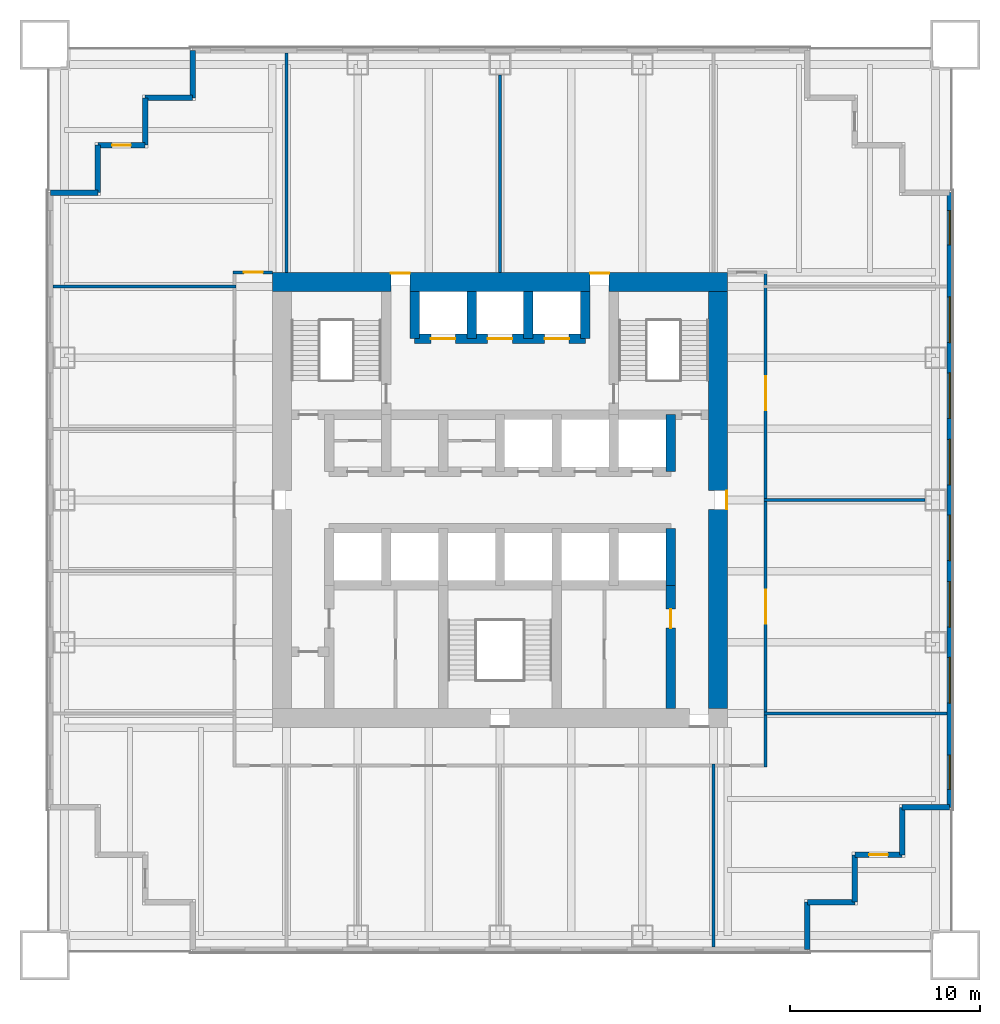
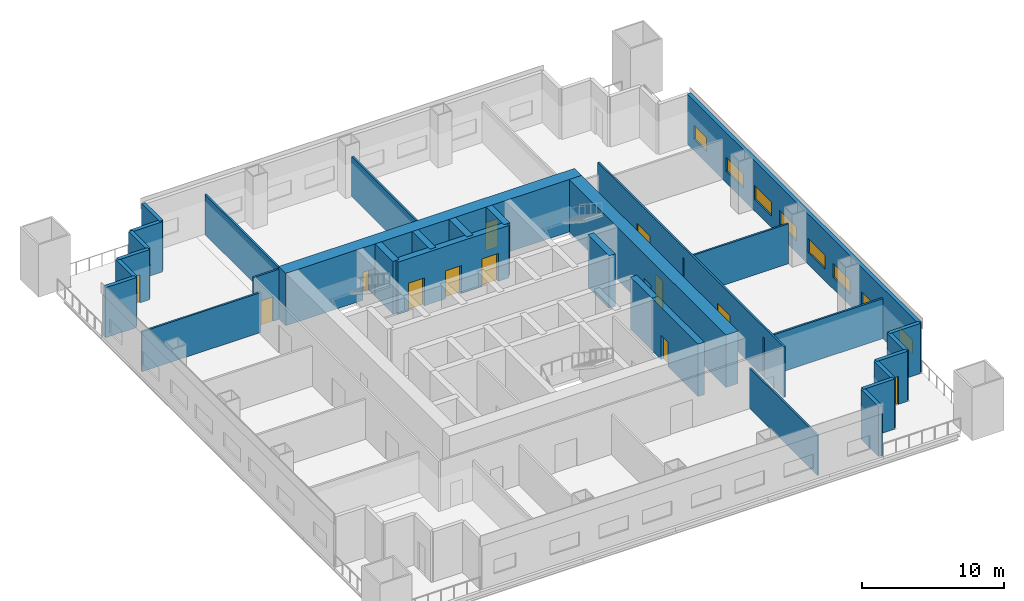
# One storey, part 4 of 7: 31 walls, 12 doors, 8 windows, 20 openings.
"""IFC4 building model written with IfcOpenShell, lengths in metres."""

from ifc_helpers import new_model, si_unit, direction, frame, frame_2d, origin, place, context, subcontext, project, spatial, rectangle, extrude, material, layer, layer_set, type_object, element, fill, save


model = new_model("IFC4")

# Units and contexts
model_context = context("Model", 3, precision=1e-05, world=origin(), true_north=direction((0.0, 1.0)))
body_context = subcontext(model_context, "Body", "Model", "MODEL_VIEW")
ifc_project = project(units=[si_unit("LENGTHUNIT", "METRE"), si_unit("AREAUNIT", "SQUARE_METRE"), si_unit("VOLUMEUNIT", "CUBIC_METRE"), si_unit("PLANEANGLEUNIT", "RADIAN"), si_unit("MASSUNIT", "GRAM", prefix="KILO")], contexts=[model_context])

# Site, building, storey
site_placement = place(None, origin())
site = spatial("IfcSite", under=ifc_project, at=site_placement, CompositionType="ELEMENT")
building_placement = place(site_placement, origin())
building = spatial("IfcBuilding", under=site, at=building_placement, Name="Tarangal Relay Tower", CompositionType="ELEMENT")
storey_placement = place(building_placement, frame((0.0, 0.0, 144.89990234375)))
storey = spatial("IfcBuildingStorey", under=building, at=storey_placement, Name="L29", CompositionType="ELEMENT", Elevation=144.89990234375)

# Wall, openings, doors
ifc_material_1 = material(Name="Concrete fc' 60 MPa", Category="concrete")
ifc_layer_1 = layer(ifc_material_1, 0.5)
ifc_layer_set_1 = layer_set([ifc_layer_1], Name="Core inner wall 500")
wall_type_1 = type_object("IfcWallType", Name="Core inner wall 500", PredefinedType="SHEAR", material=ifc_layer_set_1)
wall_1_placement = place(storey_placement, frame((-4.5, 8.5, 0.0), z_axis=(0.0, 0.0, 1.0), x_axis=(1.0, 0.0, 0.0)))
wall_1 = element("IfcWall", 1, at=wall_1_placement, inside=storey, type_object=wall_type_1, Name="Core wall Y85 L29", PredefinedType="SHEAR", context=body_context, shape_type="SweptSolid", body=[
    extrude(rectangle(XDim=9.0, YDim=0.5, at=frame_2d((4.5, 0.0))), origin(), (0.0, 0.0, 1.0), 4.5),
])
opening_1_placement = place(wall_1_placement, frame((0.85009765625, 0.0, 0.0)))
opening_1 = element("IfcOpeningElement", 2, at=opening_1_placement, cuts=wall_1, Name="Opening LD2", PredefinedType="OPENING", context=body_context, shape_type="SweptSolid", body=[
    extrude(rectangle(XDim=1.300048828125, YDim=2.39990234375, at=frame_2d((0.64990234375, 1.199951171875))), frame((0.0, 0.260009765625, 0.0), z_axis=(0.0, -1.0, 0.0), x_axis=(1.0, 0.0, 0.0)), (0.0, 0.0, 1.0), 0.52001953125),
])
opening_2_placement = place(wall_1_placement, frame((6.85009765625, 0.0, 0.0)))
opening_2 = element("IfcOpeningElement", 3, at=opening_2_placement, cuts=wall_1, Name="Opening LD2", PredefinedType="OPENING", context=body_context, shape_type="SweptSolid", body=[
    extrude(rectangle(XDim=1.300048828125, YDim=2.39990234375, at=frame_2d((0.64990234375, 1.199951171875))), frame((0.0, 0.260009765625, 0.0), z_axis=(0.0, -1.0, 0.0), x_axis=(1.0, 0.0, 0.0)), (0.0, 0.0, 1.0), 0.52001953125),
])
opening_3_placement = place(wall_1_placement, frame((3.85009765625, 0.0, 0.0)))
opening_3 = element("IfcOpeningElement", 4, at=opening_3_placement, cuts=wall_1, Name="Opening LD2", PredefinedType="OPENING", context=body_context, shape_type="SweptSolid", body=[
    extrude(rectangle(XDim=1.300048828125, YDim=2.39990234375, at=frame_2d((0.64990234375, 1.199951171875))), frame((0.0, 0.260009765625, 0.0), z_axis=(0.0, -1.0, 0.0), x_axis=(1.0, 0.0, 0.0)), (0.0, 0.0, 1.0), 0.52001953125),
])
ifc_material_2 = material(Name="Steel door with hardwood frame", Category="steel")
door_type_1 = type_object("IfcDoorType", Name="Lift landing door 1300 x 2400", OperationType="SLIDING_TO_LEFT", PredefinedType="DOOR", material=ifc_material_2)
door_1_placement = place(opening_1_placement, origin())
door_1 = element("IfcDoor", 5, at=door_1_placement, inside=storey, type_object=door_type_1, Name="Lift FF1 landing door L29", OperationType="SLIDING_TO_LEFT", OverallHeight=2.39990234375, OverallWidth=1.300048828125, PredefinedType="DOOR", context=body_context, shape_type="SweptSolid", body=[
    extrude(rectangle(XDim=1.300048828125, YDim=2.39990234375, at=frame_2d((0.64990234375, 1.199951171875))), frame((0.0, 0.02490234375, 0.0), z_axis=(0.0, -1.0, 0.0), x_axis=(1.0, 0.0, 0.0)), (0.0, 0.0, 1.0), 0.050048828125),
])
fill(opening_1, door_1)
door_2_placement = place(opening_2_placement, origin())
door_2 = element("IfcDoor", 6, at=door_2_placement, inside=storey, type_object=door_type_1, Name="Lift FF2 landing door L29", OperationType="SLIDING_TO_LEFT", OverallHeight=2.39990234375, OverallWidth=1.300048828125, PredefinedType="DOOR", context=body_context, shape_type="SweptSolid", body=[
    extrude(rectangle(XDim=1.300048828125, YDim=2.39990234375, at=frame_2d((0.64990234375, 1.199951171875))), frame((0.0, 0.02490234375, 0.0), z_axis=(0.0, -1.0, 0.0), x_axis=(1.0, 0.0, 0.0)), (0.0, 0.0, 1.0), 0.050048828125),
])
fill(opening_2, door_2)
door_3_placement = place(opening_3_placement, origin())
door_3 = element("IfcDoor", 7, at=door_3_placement, inside=storey, type_object=door_type_1, Name="Lift SV1 landing door L29", OperationType="SLIDING_TO_LEFT", OverallHeight=2.39990234375, OverallWidth=1.300048828125, PredefinedType="DOOR", context=body_context, shape_type="SweptSolid", body=[
    extrude(rectangle(XDim=1.300048828125, YDim=2.39990234375, at=frame_2d((0.64990234375, 1.199951171875))), frame((0.0, 0.02490234375, 0.0), z_axis=(0.0, -1.0, 0.0), x_axis=(1.0, 0.0, 0.0)), (0.0, 0.0, 1.0), 0.050048828125),
])
fill(opening_3, door_3)

# Walls
for number, where, z_axis, x_axis, name in (
    (8, (9.0, 1.5, 0.0), (0.0, 0.0, 1.0), (0.0, 1.0, 0.0), "Core wall X9N L29"),
    (9, (9.0, -4.5, 0.0), (0.0, 0.0, 1.0), (0.0, 1.0, 0.0), "Core wall X9S L29"),
):
    element("IfcWall", number, at=place(storey_placement, frame(where, z_axis=z_axis, x_axis=x_axis)), inside=storey, type_object=wall_type_1, Name=name, PredefinedType="SHEAR", context=body_context, shape_type="SweptSolid", body=[
        extrude(rectangle(XDim=3.0, YDim=0.5, at=frame_2d((1.5, 0.0))), origin(), (0.0, 0.0, 1.0), 4.5),
    ])
for number, where, z_axis, x_axis, name in (
    (10, (-4.5, 8.5, 0.0), (0.0, 0.0, 1.0), (0.0, 1.0, 0.0), "Core wall XM45 L29"),
    (11, (4.5, 8.5, 0.0), (0.0, 0.0, 1.0), (0.0, 1.0, 0.0), "Core wall X45 L29"),
    (12, (-1.5, 8.5, 0.0), (0.0, 0.0, 1.0), (0.0, 1.0, 0.0), "Core wall XM15 L29"),
    (13, (1.5, 8.5, 0.0), (0.0, 0.0, 1.0), (0.0, 1.0, 0.0), "Core wall X15 L29"),
):
    element("IfcWall", number, at=place(storey_placement, frame(where, z_axis=z_axis, x_axis=x_axis)), inside=storey, type_object=wall_type_1, Name=name, PredefinedType="SHEAR", context=body_context, shape_type="SweptSolid", body=[
        extrude(rectangle(XDim=2.5, YDim=0.5, at=frame_2d((1.25, 0.0))), origin(), (0.0, 0.0, 1.0), 4.5),
    ])

# Wall, opening, door
wall_2_placement = place(storey_placement, frame((9.0, -11.0, 0.0), z_axis=(0.0, 0.0, 1.0), x_axis=(0.0, 1.0, 0.0)))
wall_2 = element("IfcWall", 14, at=wall_2_placement, inside=storey, type_object=wall_type_1, Name="Core wall X9W L29", PredefinedType="SHEAR", context=body_context, shape_type="SweptSolid", body=[
    extrude(rectangle(XDim=6.5, YDim=0.5, at=frame_2d((3.25, 0.0))), origin(), (0.0, 0.0, 1.0), 4.5),
])
opening_4_placement = place(wall_2_placement, frame((4.25, 0.0, 0.0)))
opening_4 = element("IfcOpeningElement", 15, at=opening_4_placement, cuts=wall_2, Name="Opening D1", PredefinedType="OPENING", context=body_context, shape_type="SweptSolid", body=[
    extrude(rectangle(XDim=1.0, YDim=2.10009765625, at=frame_2d((0.5, 1.050048828125))), frame((0.0, 0.260009765625, 0.0), z_axis=(0.0, -1.0, 0.0), x_axis=(1.0, 0.0, 0.0)), (0.0, 0.0, 1.0), 0.52001953125),
])
ifc_material_3 = material(Name="Hardwood door", Category="wood")
door_type_2 = type_object("IfcDoorType", Name="WC door 1000 x 2100", OperationType="SINGLE_SWING_LEFT", PredefinedType="DOOR", material=ifc_material_3)
door_4_placement = place(opening_4_placement, origin())
door_4 = element("IfcDoor", 16, at=door_4_placement, inside=storey, type_object=door_type_2, Name="Female WC door L29", OperationType="SINGLE_SWING_LEFT", OverallHeight=2.10009765625, OverallWidth=1.0, PredefinedType="DOOR", context=body_context, shape_type="SweptSolid", body=[
    extrude(rectangle(XDim=1.0, YDim=2.10009765625, at=frame_2d((0.5, 1.050048828125))), frame((0.0, 0.02490234375, 0.0), z_axis=(0.0, -1.0, 0.0), x_axis=(1.0, 0.0, 0.0)), (0.0, 0.0, 1.0), 0.050048828125),
])
fill(opening_4, door_4)

# Wall, openings, doors
ifc_layer_2 = layer(ifc_material_1, 1.0)
ifc_layer_set_2 = layer_set([ifc_layer_2], Name="Core wall 1000")
wall_type_2 = type_object("IfcWallType", Name="Core wall 1000", PredefinedType="SHEAR", material=ifc_layer_set_2)
wall_3_placement = place(storey_placement, frame((-12.0, 11.5, 0.0), z_axis=(0.0, 0.0, 1.0), x_axis=(1.0, 0.0, 0.0)))
wall_3 = element("IfcWall", 17, at=wall_3_placement, inside=storey, type_object=wall_type_2, Name="Core wall N L29", PredefinedType="SHEAR", context=body_context, shape_type="SweptSolid", body=[
    extrude(rectangle(XDim=24.0, YDim=1.0, at=frame_2d((12.0, 0.0))), origin(), (0.0, 0.0, 1.0), 4.5),
])
opening_5_placement = place(wall_3_placement, frame((6.25, 0.0, 0.0)))
opening_5 = element("IfcOpeningElement", 18, at=opening_5_placement, cuts=wall_3, Name="Opening FD3", PredefinedType="OPENING", context=body_context, shape_type="SweptSolid", body=[
    extrude(rectangle(XDim=1.0, YDim=2.39990234375, at=frame_2d((0.5, 1.199951171875))), frame((0.0, 0.510009765625, 0.0), z_axis=(0.0, -1.0, 0.0), x_axis=(1.0, 0.0, 0.0)), (0.0, 0.0, 1.0), 1.02001953125),
])
opening_6_placement = place(wall_3_placement, frame((16.75, 0.0, 0.0)))
opening_6 = element("IfcOpeningElement", 19, at=opening_6_placement, cuts=wall_3, Name="Opening FD3", PredefinedType="OPENING", context=body_context, shape_type="SweptSolid", body=[
    extrude(rectangle(XDim=1.0, YDim=2.39990234375, at=frame_2d((0.5, 1.199951171875))), frame((0.0, 0.510009765625, 0.0), z_axis=(0.0, -1.0, 0.0), x_axis=(1.0, 0.0, 0.0)), (0.0, 0.0, 1.0), 1.02001953125),
])
door_type_3 = type_object("IfcDoorType", Name="Fire door 1000 x 2400 core entry", OperationType="SINGLE_SWING_RIGHT", PredefinedType="DOOR", material=ifc_material_2)
door_5_placement = place(opening_5_placement, origin())
door_5 = element("IfcDoor", 20, at=door_5_placement, inside=storey, type_object=door_type_3, Name="Core entry door north west L29", OperationType="SINGLE_SWING_RIGHT", OverallHeight=2.39990234375, OverallWidth=1.0, PredefinedType="DOOR", context=body_context, shape_type="SweptSolid", body=[
    extrude(rectangle(XDim=1.0, YDim=2.39990234375, at=frame_2d((0.5, 1.199951171875))), frame((0.0, 0.48486328125, 0.0), z_axis=(0.0, -1.0, 0.0), x_axis=(1.0, 0.0, 0.0)), (0.0, 0.0, 1.0), 0.050048828125),
])
fill(opening_5, door_5)
door_6_placement = place(opening_6_placement, origin())
door_6 = element("IfcDoor", 21, at=door_6_placement, inside=storey, type_object=door_type_3, Name="Core entry door north east L29", OperationType="SINGLE_SWING_RIGHT", OverallHeight=2.39990234375, OverallWidth=1.0, PredefinedType="DOOR", context=body_context, shape_type="SweptSolid", body=[
    extrude(rectangle(XDim=1.0, YDim=2.39990234375, at=frame_2d((0.5, 1.199951171875))), frame((0.0, 0.48486328125, 0.0), z_axis=(0.0, -1.0, 0.0), x_axis=(1.0, 0.0, 0.0)), (0.0, 0.0, 1.0), 0.050048828125),
])
fill(opening_6, door_6)

# Wall, opening, door
wall_4_placement = place(storey_placement, frame((11.5, 11.0, 0.0), z_axis=(0.0, 0.0, 1.0), x_axis=(0.0, -1.0, 0.0)))
wall_4 = element("IfcWall", 22, at=wall_4_placement, inside=storey, type_object=wall_type_2, Name="Core wall E L29", PredefinedType="SHEAR", context=body_context, shape_type="SweptSolid", body=[
    extrude(rectangle(XDim=22.0, YDim=1.0, at=frame_2d((11.0, 0.0))), origin(), (0.0, 0.0, 1.0), 4.5),
])
opening_7_placement = place(wall_4_placement, frame((10.5, 0.0, 0.0)))
opening_7 = element("IfcOpeningElement", 23, at=opening_7_placement, cuts=wall_4, Name="Opening FD3", PredefinedType="OPENING", context=body_context, shape_type="SweptSolid", body=[
    extrude(rectangle(XDim=1.0, YDim=2.39990234375, at=frame_2d((0.5, 1.199951171875))), frame((0.0, 0.510009765625, 0.0), z_axis=(0.0, -1.0, 0.0), x_axis=(1.0, 0.0, 0.0)), (0.0, 0.0, 1.0), 1.02001953125),
])
door_7_placement = place(opening_7_placement, origin())
door_7 = element("IfcDoor", 24, at=door_7_placement, inside=storey, type_object=door_type_3, Name="Core entry door east L29", OperationType="SINGLE_SWING_RIGHT", OverallHeight=2.39990234375, OverallWidth=1.0, PredefinedType="DOOR", context=body_context, shape_type="SweptSolid", body=[
    extrude(rectangle(XDim=1.0, YDim=2.39990234375, at=frame_2d((0.5, 1.199951171875))), frame((0.0, 0.48486328125, 0.0), z_axis=(0.0, -1.0, 0.0), x_axis=(1.0, 0.0, 0.0)), (0.0, 0.0, 1.0), 0.050048828125),
])
fill(opening_7, door_7)

# Wall, openings, windows
ifc_material_4 = material(Name="Insulated precast concrete fc' 40 MPa", Category="concrete")
ifc_layer_3 = layer(ifc_material_4, 0.300048828125)
ifc_layer_set_3 = layer_set([ifc_layer_3], Name="Insulated precast concrete fc' 40 MPa")
wall_type_3 = type_object("IfcWallType", Name="Facade wall precast 300", PredefinedType="SOLIDWALL", material=ifc_layer_set_3)
wall_5_placement = place(storey_placement, frame((23.699951171875, 16.199951171875, 0.0), z_axis=(0.0, 0.0, 1.0), x_axis=(0.0, -1.0, 0.0)))
wall_5 = element("IfcWall", 25, at=wall_5_placement, inside=storey, type_object=wall_type_3, Name="Facade wall E facade L29", PredefinedType="SOLIDWALL", context=body_context, shape_type="SweptSolid", body=[
    extrude(rectangle(XDim=32.39990234375, YDim=0.300048828125, at=frame_2d((16.199951171875, 0.0))), origin(), (0.0, 0.0, 1.0), 4.300048828125),
])
opening_8_placement = place(wall_5_placement, frame((0.949951171875, 0.0, 1.0)))
opening_8 = element("IfcOpeningElement", 26, at=opening_8_placement, cuts=wall_5, Name="Opening WN5", PredefinedType="OPENING", context=body_context, shape_type="SweptSolid", body=[
    extrude(rectangle(XDim=1.800048828125, YDim=1.199951171875, at=frame_2d((0.89990234375, 0.60009765625))), frame((0.0, 0.159912109375, 0.0), z_axis=(0.0, -1.0, 0.0), x_axis=(1.0, 0.0, 0.0)), (0.0, 0.0, 1.0), 0.320068359375),
])
opening_9_placement = place(wall_5_placement, frame((5.5, 0.0, 1.0)))
opening_9 = element("IfcOpeningElement", 27, at=opening_9_placement, cuts=wall_5, Name="Opening WN1", PredefinedType="OPENING", context=body_context, shape_type="SweptSolid", body=[
    extrude(rectangle(XDim=2.39990234375, YDim=1.199951171875, at=frame_2d((1.199951171875, 0.60009765625))), frame((0.0, 0.159912109375, 0.0), z_axis=(0.0, -1.0, 0.0), x_axis=(1.0, 0.0, 0.0)), (0.0, 0.0, 1.0), 0.320068359375),
])
opening_10_placement = place(wall_5_placement, frame((9.5, 0.0, 1.0)))
opening_10 = element("IfcOpeningElement", 28, at=opening_10_placement, cuts=wall_5, Name="Opening WN1", PredefinedType="OPENING", context=body_context, shape_type="SweptSolid", body=[
    extrude(rectangle(XDim=2.39990234375, YDim=1.199951171875, at=frame_2d((1.199951171875, 0.60009765625))), frame((0.0, 0.159912109375, 0.0), z_axis=(0.0, -1.0, 0.0), x_axis=(1.0, 0.0, 0.0)), (0.0, 0.0, 1.0), 0.320068359375),
])
opening_11_placement = place(wall_5_placement, frame((13.0, 0.0, 1.0)))
opening_11 = element("IfcOpeningElement", 29, at=opening_11_placement, cuts=wall_5, Name="Opening WN1", PredefinedType="OPENING", context=body_context, shape_type="SweptSolid", body=[
    extrude(rectangle(XDim=2.39990234375, YDim=1.199951171875, at=frame_2d((1.199951171875, 0.60009765625))), frame((0.0, 0.159912109375, 0.0), z_axis=(0.0, -1.0, 0.0), x_axis=(1.0, 0.0, 0.0)), (0.0, 0.0, 1.0), 0.320068359375),
])
opening_12_placement = place(wall_5_placement, frame((17.0, 0.0, 1.0)))
opening_12 = element("IfcOpeningElement", 30, at=opening_12_placement, cuts=wall_5, Name="Opening WN1", PredefinedType="OPENING", context=body_context, shape_type="SweptSolid", body=[
    extrude(rectangle(XDim=2.39990234375, YDim=1.199951171875, at=frame_2d((1.199951171875, 0.60009765625))), frame((0.0, 0.159912109375, 0.0), z_axis=(0.0, -1.0, 0.0), x_axis=(1.0, 0.0, 0.0)), (0.0, 0.0, 1.0), 0.320068359375),
])
opening_13_placement = place(wall_5_placement, frame((20.5, 0.0, 1.0)))
opening_13 = element("IfcOpeningElement", 31, at=opening_13_placement, cuts=wall_5, Name="Opening WN1", PredefinedType="OPENING", context=body_context, shape_type="SweptSolid", body=[
    extrude(rectangle(XDim=2.39990234375, YDim=1.199951171875, at=frame_2d((1.199951171875, 0.60009765625))), frame((0.0, 0.159912109375, 0.0), z_axis=(0.0, -1.0, 0.0), x_axis=(1.0, 0.0, 0.0)), (0.0, 0.0, 1.0), 0.320068359375),
])
opening_14_placement = place(wall_5_placement, frame((24.5, 0.0, 1.0)))
opening_14 = element("IfcOpeningElement", 32, at=opening_14_placement, cuts=wall_5, Name="Opening WN1", PredefinedType="OPENING", context=body_context, shape_type="SweptSolid", body=[
    extrude(rectangle(XDim=2.39990234375, YDim=1.199951171875, at=frame_2d((1.199951171875, 0.60009765625))), frame((0.0, 0.159912109375, 0.0), z_axis=(0.0, -1.0, 0.0), x_axis=(1.0, 0.0, 0.0)), (0.0, 0.0, 1.0), 0.320068359375),
])
opening_15_placement = place(wall_5_placement, frame((29.64990234375, 0.0, 1.0)))
opening_15 = element("IfcOpeningElement", 33, at=opening_15_placement, cuts=wall_5, Name="Opening WN5", PredefinedType="OPENING", context=body_context, shape_type="SweptSolid", body=[
    extrude(rectangle(XDim=1.800048828125, YDim=1.199951171875, at=frame_2d((0.89990234375, 0.60009765625))), frame((0.0, 0.159912109375, 0.0), z_axis=(0.0, -1.0, 0.0), x_axis=(1.0, 0.0, 0.0)), (0.0, 0.0, 1.0), 0.320068359375),
])
ifc_material_5 = material(Name="Dark tinted double glazing in black aluminium frame", Category="aluminium")
window_type_1 = type_object("IfcWindowType", Name="Ribbon window 1800 x 1200", PartitioningType="SINGLE_PANEL", PredefinedType="WINDOW", material=ifc_material_5)
window_1_placement = place(opening_8_placement, origin())
window_1 = element("IfcWindow", 34, at=window_1_placement, inside=storey, type_object=window_type_1, Name="Ribbon window WN5 E facade L29", OverallHeight=1.199951171875, OverallWidth=1.800048828125, PartitioningType="SINGLE_PANEL", PredefinedType="WINDOW", context=body_context, shape_type="SweptSolid", body=[
    extrude(rectangle(XDim=1.800048828125, YDim=1.199951171875, at=frame_2d((0.89990234375, 0.60009765625))), frame((0.0, 0.030029296875, 0.0), z_axis=(0.0, -1.0, 0.0), x_axis=(1.0, 0.0, 0.0)), (0.0, 0.0, 1.0), 0.06005859375),
])
fill(opening_8, window_1)
window_2_placement = place(opening_15_placement, origin())
window_2 = element("IfcWindow", 35, at=window_2_placement, inside=storey, type_object=window_type_1, Name="Ribbon window WN5 E facade L29", OverallHeight=1.199951171875, OverallWidth=1.800048828125, PartitioningType="SINGLE_PANEL", PredefinedType="WINDOW", context=body_context, shape_type="SweptSolid", body=[
    extrude(rectangle(XDim=1.800048828125, YDim=1.199951171875, at=frame_2d((0.89990234375, 0.60009765625))), frame((0.0, 0.030029296875, 0.0), z_axis=(0.0, -1.0, 0.0), x_axis=(1.0, 0.0, 0.0)), (0.0, 0.0, 1.0), 0.06005859375),
])
fill(opening_15, window_2)
window_type_2 = type_object("IfcWindowType", Name="Ribbon window 2400 x 1200", PartitioningType="SINGLE_PANEL", PredefinedType="WINDOW", material=ifc_material_5)
window_3_placement = place(opening_9_placement, origin())
window_3 = element("IfcWindow", 36, at=window_3_placement, inside=storey, type_object=window_type_2, Name="Ribbon window WN1 E facade L29", OverallHeight=1.199951171875, OverallWidth=2.39990234375, PartitioningType="SINGLE_PANEL", PredefinedType="WINDOW", context=body_context, shape_type="SweptSolid", body=[
    extrude(rectangle(XDim=2.39990234375, YDim=1.199951171875, at=frame_2d((1.199951171875, 0.60009765625))), frame((0.0, 0.030029296875, 0.0), z_axis=(0.0, -1.0, 0.0), x_axis=(1.0, 0.0, 0.0)), (0.0, 0.0, 1.0), 0.06005859375),
])
fill(opening_9, window_3)
window_4_placement = place(opening_10_placement, origin())
window_4 = element("IfcWindow", 37, at=window_4_placement, inside=storey, type_object=window_type_2, Name="Ribbon window WN1 E facade L29", OverallHeight=1.199951171875, OverallWidth=2.39990234375, PartitioningType="SINGLE_PANEL", PredefinedType="WINDOW", context=body_context, shape_type="SweptSolid", body=[
    extrude(rectangle(XDim=2.39990234375, YDim=1.199951171875, at=frame_2d((1.199951171875, 0.60009765625))), frame((0.0, 0.030029296875, 0.0), z_axis=(0.0, -1.0, 0.0), x_axis=(1.0, 0.0, 0.0)), (0.0, 0.0, 1.0), 0.06005859375),
])
fill(opening_10, window_4)
window_5_placement = place(opening_11_placement, origin())
window_5 = element("IfcWindow", 38, at=window_5_placement, inside=storey, type_object=window_type_2, Name="Ribbon window WN1 E facade L29", OverallHeight=1.199951171875, OverallWidth=2.39990234375, PartitioningType="SINGLE_PANEL", PredefinedType="WINDOW", context=body_context, shape_type="SweptSolid", body=[
    extrude(rectangle(XDim=2.39990234375, YDim=1.199951171875, at=frame_2d((1.199951171875, 0.60009765625))), frame((0.0, 0.030029296875, 0.0), z_axis=(0.0, -1.0, 0.0), x_axis=(1.0, 0.0, 0.0)), (0.0, 0.0, 1.0), 0.06005859375),
])
fill(opening_11, window_5)
window_6_placement = place(opening_12_placement, origin())
window_6 = element("IfcWindow", 39, at=window_6_placement, inside=storey, type_object=window_type_2, Name="Ribbon window WN1 E facade L29", OverallHeight=1.199951171875, OverallWidth=2.39990234375, PartitioningType="SINGLE_PANEL", PredefinedType="WINDOW", context=body_context, shape_type="SweptSolid", body=[
    extrude(rectangle(XDim=2.39990234375, YDim=1.199951171875, at=frame_2d((1.199951171875, 0.60009765625))), frame((0.0, 0.030029296875, 0.0), z_axis=(0.0, -1.0, 0.0), x_axis=(1.0, 0.0, 0.0)), (0.0, 0.0, 1.0), 0.06005859375),
])
fill(opening_12, window_6)
window_7_placement = place(opening_13_placement, origin())
window_7 = element("IfcWindow", 40, at=window_7_placement, inside=storey, type_object=window_type_2, Name="Ribbon window WN1 E facade L29", OverallHeight=1.199951171875, OverallWidth=2.39990234375, PartitioningType="SINGLE_PANEL", PredefinedType="WINDOW", context=body_context, shape_type="SweptSolid", body=[
    extrude(rectangle(XDim=2.39990234375, YDim=1.199951171875, at=frame_2d((1.199951171875, 0.60009765625))), frame((0.0, 0.030029296875, 0.0), z_axis=(0.0, -1.0, 0.0), x_axis=(1.0, 0.0, 0.0)), (0.0, 0.0, 1.0), 0.06005859375),
])
fill(opening_13, window_7)
window_8_placement = place(opening_14_placement, origin())
window_8 = element("IfcWindow", 41, at=window_8_placement, inside=storey, type_object=window_type_2, Name="Ribbon window WN1 E facade L29", OverallHeight=1.199951171875, OverallWidth=2.39990234375, PartitioningType="SINGLE_PANEL", PredefinedType="WINDOW", context=body_context, shape_type="SweptSolid", body=[
    extrude(rectangle(XDim=2.39990234375, YDim=1.199951171875, at=frame_2d((1.199951171875, 0.60009765625))), frame((0.0, 0.030029296875, 0.0), z_axis=(0.0, -1.0, 0.0), x_axis=(1.0, 0.0, 0.0)), (0.0, 0.0, 1.0), 0.06005859375),
])
fill(opening_14, window_8)

# Walls
for number, where, z_axis, x_axis, name in (
    (42, (23.699951171875, -16.199951171875, 0.0), (0.0, 0.0, 1.0), (-1.0, 0.0, 0.0), "Facade wall E facade L29"),
    (43, (21.199951171875, -16.199951171875, 0.0), (0.0, 0.0, 1.0), (0.0, -1.0, 0.0), "Facade wall E facade L29"),
):
    element("IfcWall", number, at=place(storey_placement, frame(where, z_axis=z_axis, x_axis=x_axis)), inside=storey, type_object=wall_type_3, Name=name, PredefinedType="SOLIDWALL", context=body_context, shape_type="SweptSolid", body=[
        extrude(rectangle(XDim=2.5, YDim=0.300048828125, at=frame_2d((1.25, 0.0))), origin(), (0.0, 0.0, 1.0), 4.300048828125),
    ])

# Wall, opening, door
wall_6_placement = place(storey_placement, frame((21.199951171875, -18.699951171875, 0.0), z_axis=(0.0, 0.0, 1.0), x_axis=(-1.0, 0.0, 0.0)))
wall_6 = element("IfcWall", 44, at=wall_6_placement, inside=storey, type_object=wall_type_3, Name="Facade wall E facade L29", PredefinedType="SOLIDWALL", context=body_context, shape_type="SweptSolid", body=[
    extrude(rectangle(XDim=2.5, YDim=0.300048828125, at=frame_2d((1.25, 0.0))), origin(), (0.0, 0.0, 1.0), 4.300048828125),
])
opening_16_placement = place(wall_6_placement, frame((0.75, 0.0, 0.0)))
opening_16 = element("IfcOpeningElement", 45, at=opening_16_placement, cuts=wall_6, Name="Opening TD1", PredefinedType="OPENING", context=body_context, shape_type="SweptSolid", body=[
    extrude(rectangle(XDim=1.0, YDim=2.39990234375, at=frame_2d((0.5, 1.199951171875))), frame((0.0, 0.159912109375, 0.0), z_axis=(0.0, -1.0, 0.0), x_axis=(1.0, 0.0, 0.0)), (0.0, 0.0, 1.0), 0.320068359375),
])
ifc_material_6 = material(Name="Aluminium glazed door", Category="aluminium")
door_type_4 = type_object("IfcDoorType", Name="Terrace door 1000 x 2400", OperationType="SINGLE_SWING_RIGHT", PredefinedType="DOOR", material=ifc_material_6)
door_8_placement = place(opening_16_placement, origin())
door_8 = element("IfcDoor", 46, at=door_8_placement, inside=storey, type_object=door_type_4, Name="Terrace door TD1 SE L29", OperationType="SINGLE_SWING_RIGHT", OverallHeight=2.39990234375, OverallWidth=1.0, PredefinedType="DOOR", context=body_context, shape_type="SweptSolid", body=[
    extrude(rectangle(XDim=1.0, YDim=2.39990234375, at=frame_2d((0.5, 1.199951171875))), frame((0.0, 0.02490234375, 0.0), z_axis=(0.0, -1.0, 0.0), x_axis=(1.0, 0.0, 0.0)), (0.0, 0.0, 1.0), 0.050048828125),
])
fill(opening_16, door_8)

# Walls
for number, where, z_axis, x_axis, name in (
    (47, (18.699951171875, -18.699951171875, 0.0), (0.0, 0.0, 1.0), (0.0, -1.0, 0.0), "Facade wall E facade L29"),
    (48, (18.699951171875, -21.199951171875, 0.0), (0.0, 0.0, 1.0), (-1.0, 0.0, 0.0), "Facade wall E facade L29"),
    (49, (16.199951171875, -21.199951171875, 0.0), (0.0, 0.0, 1.0), (0.0, -1.0, 0.0), "Facade wall E facade L29"),
    (50, (-23.699951171875, 16.199951171875, 0.0), (0.0, 0.0, 1.0), (1.0, 0.0, 0.0), "Facade wall W facade L29"),
    (51, (-21.199951171875, 16.199951171875, 0.0), (0.0, 0.0, 1.0), (0.0, 1.0, 0.0), "Facade wall W facade L29"),
):
    element("IfcWall", number, at=place(storey_placement, frame(where, z_axis=z_axis, x_axis=x_axis)), inside=storey, type_object=wall_type_3, Name=name, PredefinedType="SOLIDWALL", context=body_context, shape_type="SweptSolid", body=[
        extrude(rectangle(XDim=2.5, YDim=0.300048828125, at=frame_2d((1.25, 0.0))), origin(), (0.0, 0.0, 1.0), 4.300048828125),
    ])

# Wall, opening, door
wall_7_placement = place(storey_placement, frame((-21.199951171875, 18.699951171875, 0.0), z_axis=(0.0, 0.0, 1.0), x_axis=(1.0, 0.0, 0.0)))
wall_7 = element("IfcWall", 52, at=wall_7_placement, inside=storey, type_object=wall_type_3, Name="Facade wall W facade L29", PredefinedType="SOLIDWALL", context=body_context, shape_type="SweptSolid", body=[
    extrude(rectangle(XDim=2.5, YDim=0.300048828125, at=frame_2d((1.25, 0.0))), origin(), (0.0, 0.0, 1.0), 4.300048828125),
])
opening_17_placement = place(wall_7_placement, frame((0.75, 0.0, 0.0)))
opening_17 = element("IfcOpeningElement", 53, at=opening_17_placement, cuts=wall_7, Name="Opening TD1", PredefinedType="OPENING", context=body_context, shape_type="SweptSolid", body=[
    extrude(rectangle(XDim=1.0, YDim=2.39990234375, at=frame_2d((0.5, 1.199951171875))), frame((0.0, 0.159912109375, 0.0), z_axis=(0.0, -1.0, 0.0), x_axis=(1.0, 0.0, 0.0)), (0.0, 0.0, 1.0), 0.320068359375),
])
door_9_placement = place(opening_17_placement, origin())
door_9 = element("IfcDoor", 54, at=door_9_placement, inside=storey, type_object=door_type_4, Name="Terrace door TD1 NW L29", OperationType="SINGLE_SWING_RIGHT", OverallHeight=2.39990234375, OverallWidth=1.0, PredefinedType="DOOR", context=body_context, shape_type="SweptSolid", body=[
    extrude(rectangle(XDim=1.0, YDim=2.39990234375, at=frame_2d((0.5, 1.199951171875))), frame((0.0, 0.02490234375, 0.0), z_axis=(0.0, -1.0, 0.0), x_axis=(1.0, 0.0, 0.0)), (0.0, 0.0, 1.0), 0.050048828125),
])
fill(opening_17, door_9)

# Walls
for number, where, z_axis, x_axis, name in (
    (55, (-18.699951171875, 18.699951171875, 0.0), (0.0, 0.0, 1.0), (0.0, 1.0, 0.0), "Facade wall W facade L29"),
    (56, (-18.699951171875, 21.199951171875, 0.0), (0.0, 0.0, 1.0), (1.0, 0.0, 0.0), "Facade wall W facade L29"),
    (57, (-16.199951171875, 21.199951171875, 0.0), (0.0, 0.0, 1.0), (0.0, 1.0, 0.0), "Facade wall W facade L29"),
):
    element("IfcWall", number, at=place(storey_placement, frame(where, z_axis=z_axis, x_axis=x_axis)), inside=storey, type_object=wall_type_3, Name=name, PredefinedType="SOLIDWALL", context=body_context, shape_type="SweptSolid", body=[
        extrude(rectangle(XDim=2.5, YDim=0.300048828125, at=frame_2d((1.25, 0.0))), origin(), (0.0, 0.0, 1.0), 4.300048828125),
    ])
ifc_material_7 = material(Name="Gypsum board on steel studs", Category="steel")
ifc_layer_4 = layer(ifc_material_7, 0.14990234375)
ifc_layer_set_4 = layer_set([ifc_layer_4], Name="Partition 150")
wall_type_4 = type_object("IfcWallType", Name="Partition 150", PredefinedType="PARTITIONING", material=ifc_layer_set_4)
wall_8_placement = place(storey_placement, frame((13.925048828125, -11.25, 0.0), z_axis=(0.0, 0.0, 1.0), x_axis=(1.0, 0.0, 0.0)))
element("IfcWall", 58, at=wall_8_placement, inside=storey, type_object=wall_type_4, Name="Partition PT1 L29", PredefinedType="PARTITIONING", context=body_context, shape_type="SweptSolid", body=[
    extrude(rectangle(XDim=9.625, YDim=0.14990234375, at=frame_2d((4.8125, 0.0))), origin(), (0.0, 0.0, 1.0), 3.431396484375),
])
wall_9_placement = place(storey_placement, frame((13.925048828125, 0.0, 0.0), z_axis=(0.0, 0.0, 1.0), x_axis=(1.0, 0.0, 0.0)))
element("IfcWall", 59, at=wall_9_placement, inside=storey, type_object=wall_type_4, Name="Partition PT1 L29", PredefinedType="PARTITIONING", context=body_context, shape_type="SweptSolid", body=[
    extrude(rectangle(XDim=8.46484375, YDim=0.14990234375, at=frame_2d((4.232421875, 0.0))), origin(), (0.0, 0.0, 1.0), 3.431396484375),
])
wall_10_placement = place(storey_placement, frame((-23.550048828125, 11.25, 0.0), z_axis=(0.0, 0.0, 1.0), x_axis=(1.0, 0.0, 0.0)))
element("IfcWall", 60, at=wall_10_placement, inside=storey, type_object=wall_type_4, Name="Partition PT1 L29", PredefinedType="PARTITIONING", context=body_context, shape_type="SweptSolid", body=[
    extrude(rectangle(XDim=9.625, YDim=0.14990234375, at=frame_2d((4.8125, 0.0))), origin(), (0.0, 0.0, 1.0), 3.431396484375),
])

# Wall, opening, door
wall_11_placement = place(storey_placement, frame((-14.074951171875, 12.0, 0.0), z_axis=(0.0, 0.0, 1.0), x_axis=(1.0, 0.0, 0.0)))
wall_11 = element("IfcWall", 61, at=wall_11_placement, inside=storey, type_object=wall_type_4, Name="Partition PT1 L29", PredefinedType="PARTITIONING", context=body_context, shape_type="SweptSolid", body=[
    extrude(rectangle(XDim=2.074951171875, YDim=0.14990234375, at=frame_2d((1.03759765625, 0.0))), origin(), (0.0, 0.0, 1.0), 4.300048828125),
])
opening_18_placement = place(wall_11_placement, frame((0.574951171875, 0.0, 0.0)))
opening_18 = element("IfcOpeningElement", 62, at=opening_18_placement, cuts=wall_11, Name="Opening D2", PredefinedType="OPENING", context=body_context, shape_type="SweptSolid", body=[
    extrude(rectangle(XDim=1.0, YDim=2.10009765625, at=frame_2d((0.5, 1.050048828125))), frame((0.0, 0.0849609375, 0.0), z_axis=(0.0, -1.0, 0.0), x_axis=(1.0, 0.0, 0.0)), (0.0, 0.0, 1.0), 0.169921875),
])
door_type_5 = type_object("IfcDoorType", Name="Door 1000 x 2100", OperationType="SINGLE_SWING_LEFT", PredefinedType="DOOR", material=ifc_material_3)
door_10_placement = place(opening_18_placement, origin())
door_10 = element("IfcDoor", 63, at=door_10_placement, inside=storey, type_object=door_type_5, Name="Door D2 to rack staging room L29-15", OperationType="SINGLE_SWING_LEFT", OverallHeight=2.10009765625, OverallWidth=1.0, PredefinedType="DOOR", context=body_context, shape_type="SweptSolid", body=[
    extrude(rectangle(XDim=1.0, YDim=2.10009765625, at=frame_2d((0.5, 1.050048828125))), frame((0.0, 0.02490234375, 0.0), z_axis=(0.0, -1.0, 0.0), x_axis=(1.0, 0.0, 0.0)), (0.0, 0.0, 1.0), 0.050048828125),
])
fill(opening_18, door_10)

# Walls
wall_12_placement = place(storey_placement, frame((-11.25, 12.0, 0.0), z_axis=(0.0, 0.0, 1.0), x_axis=(0.0, 1.0, 0.0)))
element("IfcWall", 64, at=wall_12_placement, inside=storey, type_object=wall_type_4, Name="Partition PT1 L29", PredefinedType="PARTITIONING", context=body_context, shape_type="SweptSolid", body=[
    extrude(rectangle(XDim=11.550048828125, YDim=0.14990234375, at=frame_2d((5.77490234375, 0.0))), origin(), (0.0, 0.0, 1.0), 3.431396484375),
])
wall_13_placement = place(storey_placement, frame((0.0, 12.0, 0.0), z_axis=(0.0, 0.0, 1.0), x_axis=(0.0, 1.0, 0.0)))
element("IfcWall", 65, at=wall_13_placement, inside=storey, type_object=wall_type_4, Name="Partition PT1 L29", PredefinedType="PARTITIONING", context=body_context, shape_type="SweptSolid", body=[
    extrude(rectangle(XDim=10.389892578125, YDim=0.14990234375, at=frame_2d((5.19482421875, 0.0))), origin(), (0.0, 0.0, 1.0), 3.431396484375),
])
wall_14_placement = place(storey_placement, frame((11.25, -23.550048828125, 0.0), z_axis=(0.0, 0.0, 1.0), x_axis=(0.0, 1.0, 0.0)))
element("IfcWall", 66, at=wall_14_placement, inside=storey, type_object=wall_type_4, Name="Partition PT1 L29", PredefinedType="PARTITIONING", context=body_context, shape_type="SweptSolid", body=[
    extrude(rectangle(XDim=9.625, YDim=0.14990234375, at=frame_2d((4.8125, 0.0))), origin(), (0.0, 0.0, 1.0), 3.431396484375),
])

# Wall, openings, doors
wall_15_placement = place(storey_placement, frame((14.0, -14.074951171875, 0.0), z_axis=(0.0, 0.0, 1.0), x_axis=(0.0, 1.0, 0.0)))
wall_15 = element("IfcWall", 67, at=wall_15_placement, inside=storey, type_object=wall_type_4, Name="Partition PT1 L29", PredefinedType="PARTITIONING", context=body_context, shape_type="SweptSolid", body=[
    extrude(rectangle(XDim=26.14990234375, YDim=0.14990234375, at=frame_2d((13.074951171875, 0.0))), origin(), (0.0, 0.0, 1.0), 4.300048828125),
])
opening_19_placement = place(wall_15_placement, frame((18.800048828125, 0.0, 0.0)))
opening_19 = element("IfcOpeningElement", 68, at=opening_19_placement, cuts=wall_15, Name="Opening DD1", PredefinedType="OPENING", context=body_context, shape_type="SweptSolid", body=[
    extrude(rectangle(XDim=1.800048828125, YDim=2.39990234375, at=frame_2d((0.89990234375, 1.199951171875))), frame((0.0, 0.0849609375, 0.0), z_axis=(0.0, -1.0, 0.0), x_axis=(1.0, 0.0, 0.0)), (0.0, 0.0, 1.0), 0.169921875),
])
opening_20_placement = place(wall_15_placement, frame((7.550048828125, 0.0, 0.0)))
opening_20 = element("IfcOpeningElement", 69, at=opening_20_placement, cuts=wall_15, Name="Opening DD1", PredefinedType="OPENING", context=body_context, shape_type="SweptSolid", body=[
    extrude(rectangle(XDim=1.800048828125, YDim=2.39990234375, at=frame_2d((0.89990234375, 1.199951171875))), frame((0.0, 0.0849609375, 0.0), z_axis=(0.0, -1.0, 0.0), x_axis=(1.0, 0.0, 0.0)), (0.0, 0.0, 1.0), 0.169921875),
])
door_type_6 = type_object("IfcDoorType", Name="Equipment double door 1800 x 2400", OperationType="DOUBLE_DOOR_SINGLE_SWING", PredefinedType="DOOR", material=ifc_material_2)
door_11_placement = place(opening_19_placement, origin())
door_11 = element("IfcDoor", 70, at=door_11_placement, inside=storey, type_object=door_type_6, Name="Door DD1 to meet-me room L29-04", OperationType="DOUBLE_DOOR_SINGLE_SWING", OverallHeight=2.39990234375, OverallWidth=1.800048828125, PredefinedType="DOOR", context=body_context, shape_type="SweptSolid", body=[
    extrude(rectangle(XDim=1.800048828125, YDim=2.39990234375, at=frame_2d((0.89990234375, 1.199951171875))), frame((0.0, 0.02490234375, 0.0), z_axis=(0.0, -1.0, 0.0), x_axis=(1.0, 0.0, 0.0)), (0.0, 0.0, 1.0), 0.050048828125),
])
fill(opening_19, door_11)
door_12_placement = place(opening_20_placement, origin())
door_12 = element("IfcDoor", 71, at=door_12_placement, inside=storey, type_object=door_type_6, Name="Door DD1 to carrier equipment room L29-05", OperationType="DOUBLE_DOOR_SINGLE_SWING", OverallHeight=2.39990234375, OverallWidth=1.800048828125, PredefinedType="DOOR", context=body_context, shape_type="SweptSolid", body=[
    extrude(rectangle(XDim=1.800048828125, YDim=2.39990234375, at=frame_2d((0.89990234375, 1.199951171875))), frame((0.0, 0.02490234375, 0.0), z_axis=(0.0, -1.0, 0.0), x_axis=(1.0, 0.0, 0.0)), (0.0, 0.0, 1.0), 0.050048828125),
])
fill(opening_20, door_12)

save(model, "model.ifc")
